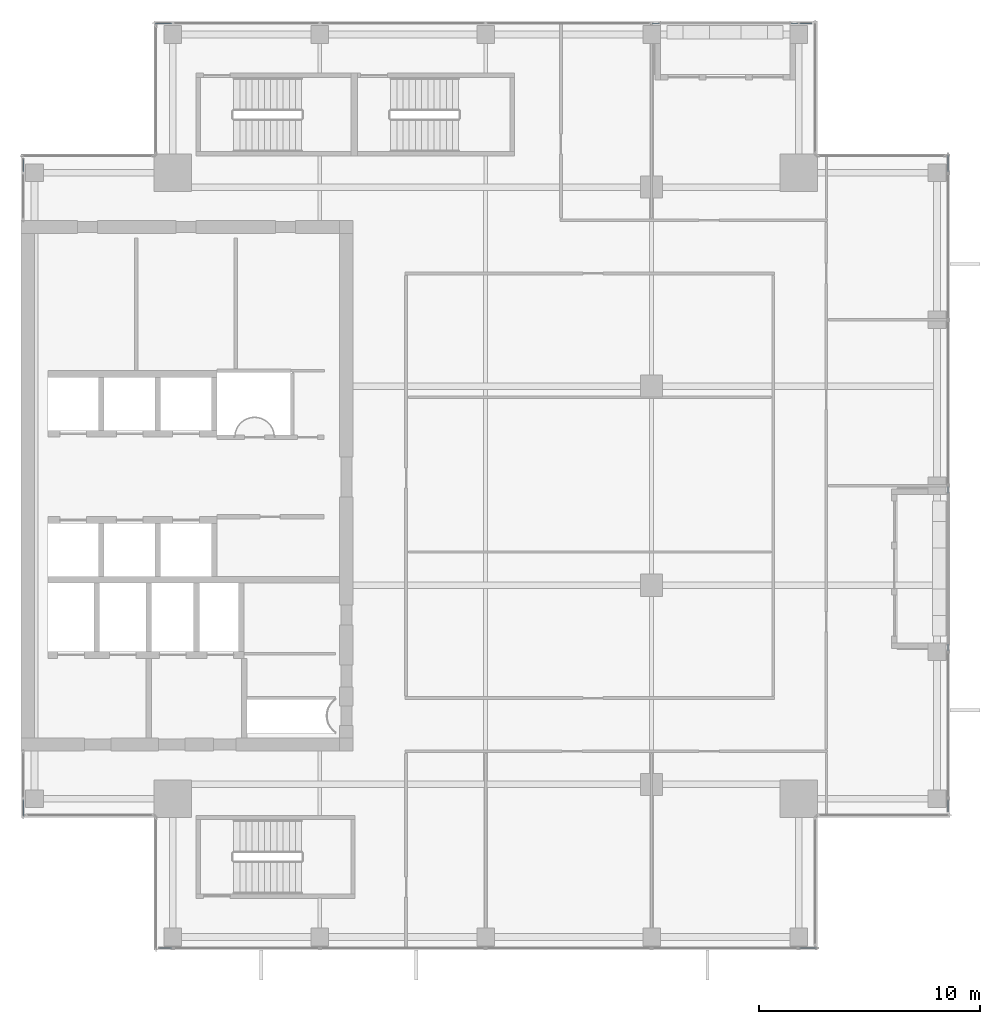
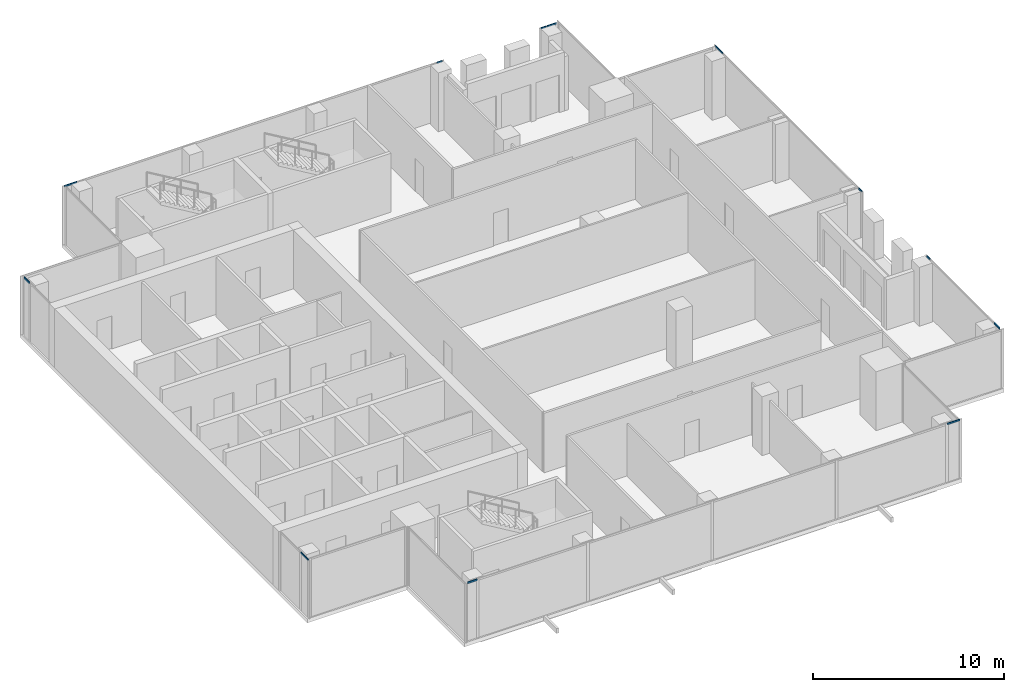
# One storey, part 18 of 29: 12 members, 7 elements without a shape of their own.
"""IFC4 building model written with IfcOpenShell, lengths in metres."""

from ifc_helpers import new_model, si_unit, direction, frame, origin, origin_2d, place, context, subcontext, project, spatial, hollow_rectangle, extrude, source, transform, mapped, material, material_profile, profile_set, type_object, element, aggregate, save


model = new_model("IFC4")

# Units and contexts
model_context = context("Model", 3, precision=1e-05, world=origin(), true_north=direction((0.0, 1.0)))
body_context = subcontext(model_context, "Body", "Model", "MODEL_VIEW")
ifc_project = project(units=[si_unit("LENGTHUNIT", "METRE"), si_unit("AREAUNIT", "SQUARE_METRE"), si_unit("VOLUMEUNIT", "CUBIC_METRE"), si_unit("PLANEANGLEUNIT", "RADIAN"), si_unit("MASSUNIT", "GRAM", prefix="KILO")], contexts=[model_context])

# Site, building, storey
site_placement = place(None, origin())
site = spatial("IfcSite", under=ifc_project, at=site_placement, CompositionType="ELEMENT")
building_placement = place(site_placement, origin())
building = spatial("IfcBuilding", under=site, at=building_placement, Name="Khomas Fold Tower", CompositionType="ELEMENT")
storey_placement = place(building_placement, frame((0.0, 0.0, 290.199951171875)))
storey = spatial("IfcBuildingStorey", under=building, at=storey_placement, Name="L65", CompositionType="ELEMENT", Elevation=290.199951171875)

# Curtain wall, member
ifc_material_1 = material(Name="Aluminium framed double glazing", Category="aluminium")
curtain_wall_type = type_object("IfcCurtainWallType", Name="SK-Unitised clear-glass wall, upper floors CW3", PredefinedType="NOTDEFINED", material=ifc_material_1)
curtain_wall_1_placement = place(storey_placement, origin())
curtain_wall_1 = element("IfcCurtainWall", 1, at=curtain_wall_1_placement, inside=storey, type_object=curtain_wall_type, Name="CW3 run L65 00-0", PredefinedType="NOTDEFINED")
ifc_material_2 = material(Name="Aluminium", Category="aluminium")
ifc_material_profile = material_profile(ifc_material_2, hollow_rectangle(XDim=0.050048828125, YDim=0.10009765625, WallThickness=0.00390625, at=origin_2d()), Name="SK-Unitised clear-glass wall, upper floors transom CW3-T")
ifc_profile_set = profile_set([ifc_material_profile], Name="Aluminium")
member_type = type_object("IfcMemberType", Name="SK-Unitised clear-glass wall, upper floors transom CW3-T", PredefinedType="USERDEFINED", material=ifc_profile_set)
shared_shape_1 = source(origin(), body_context, "Body", "SweptSolid", [
    extrude(hollow_rectangle(XDim=0.050048828125, YDim=0.10009765625, WallThickness=0.00390625, at=origin_2d()), origin(), (0.0, 0.0, 1.0), 0.574951171875),
])
member_1_placement = place(storey_placement, frame((12.25, 6.10009765625, 3.699951171875), z_axis=(1.0, 0.0, 0.0), x_axis=(0.0, 1.0, 0.0)))
member_1 = element("IfcMember", 2, at=member_1_placement, type_object=member_type, Name="CW3 transom 1", ObjectType="TRANSOM", PredefinedType="USERDEFINED", context=body_context, shape_type="MappedRepresentation", body=[
    mapped(shared_shape_1, transform((0.0, 0.0, 0.0))),
])

curtain_wall_2_placement = place(storey_placement, origin())
curtain_wall_2 = element("IfcCurtainWall", 3, at=curtain_wall_2_placement, inside=storey, type_object=curtain_wall_type, Name="CW3 run L65 03-0", PredefinedType="NOTDEFINED")
member_2_placement = place(storey_placement, frame((47.89990234375, 12.25, 3.699951171875), z_axis=(0.0, 1.0, 0.0), x_axis=(-1.0, 0.0, 0.0)))
member_2 = element("IfcMember", 4, at=member_2_placement, type_object=member_type, Name="CW3 transom 1", ObjectType="TRANSOM", PredefinedType="USERDEFINED", context=body_context, shape_type="MappedRepresentation", body=[
    mapped(shared_shape_1, transform((0.0, 0.0, 0.0))),
])

curtain_wall_3_placement = place(storey_placement, origin())
curtain_wall_3 = element("IfcCurtainWall", 5, at=curtain_wall_3_placement, inside=storey, type_object=curtain_wall_type, Name="CW3 run L65 06-0", PredefinedType="NOTDEFINED")
member_3_placement = place(storey_placement, frame((41.75, 47.89990234375, 3.699951171875), z_axis=(-1.0, 0.0, 0.0), x_axis=(0.0, -1.0, 0.0)))
member_3 = element("IfcMember", 6, at=member_3_placement, type_object=member_type, Name="CW3 transom 1", ObjectType="TRANSOM", PredefinedType="USERDEFINED", context=body_context, shape_type="MappedRepresentation", body=[
    mapped(shared_shape_1, transform((0.0, 0.0, 0.0))),
])

curtain_wall_4_placement = place(storey_placement, origin())
curtain_wall_4 = element("IfcCurtainWall", 7, at=curtain_wall_4_placement, inside=storey, type_object=curtain_wall_type, Name="CW3 run L65 09-0", PredefinedType="NOTDEFINED")
member_4_placement = place(storey_placement, frame((6.10009765625, 41.75, 3.699951171875), z_axis=(0.0, -1.0, 0.0), x_axis=(1.0, 0.0, 0.0)))
member_4 = element("IfcMember", 8, at=member_4_placement, type_object=member_type, Name="CW3 transom 1", ObjectType="TRANSOM", PredefinedType="USERDEFINED", context=body_context, shape_type="MappedRepresentation", body=[
    mapped(shared_shape_1, transform((0.0, 0.0, 0.0))),
])
aggregate(curtain_wall_4, [member_4])

# Member
shared_shape_2 = source(origin(), body_context, "Body", "SweptSolid", [
    extrude(hollow_rectangle(XDim=0.050048828125, YDim=0.10009765625, WallThickness=0.00390625, at=origin_2d()), origin(), (0.0, 0.0, 1.0), 0.77490234375),
])
member_5_placement = place(storey_placement, frame((41.175048828125, 6.10009765625, 3.699951171875), z_axis=(1.0, 0.0, 0.0), x_axis=(0.0, 1.0, 0.0)))
member_5 = element("IfcMember", 9, at=member_5_placement, type_object=member_type, Name="CW3 transom 6", ObjectType="TRANSOM", PredefinedType="USERDEFINED", context=body_context, shape_type="MappedRepresentation", body=[
    mapped(shared_shape_2, transform((0.0, 0.0, 0.0))),
])

aggregate(curtain_wall_1, [member_1, member_5])

# Curtain wall, member
curtain_wall_5_placement = place(storey_placement, origin())
curtain_wall_5 = element("IfcCurtainWall", 10, at=curtain_wall_5_placement, inside=storey, type_object=curtain_wall_type, Name="CW3 run L65 03-1", PredefinedType="NOTDEFINED")
member_6_placement = place(storey_placement, frame((47.89990234375, 41.175048828125, 3.699951171875), z_axis=(0.0, 1.0, 0.0), x_axis=(-1.0, 0.0, 0.0)))
member_6 = element("IfcMember", 11, at=member_6_placement, type_object=member_type, Name="CW3 transom 4", ObjectType="TRANSOM", PredefinedType="USERDEFINED", context=body_context, shape_type="MappedRepresentation", body=[
    mapped(shared_shape_2, transform((0.0, 0.0, 0.0))),
])

curtain_wall_6_placement = place(storey_placement, origin())
curtain_wall_6 = element("IfcCurtainWall", 12, at=curtain_wall_6_placement, inside=storey, type_object=curtain_wall_type, Name="CW3 run L65 06-1", PredefinedType="NOTDEFINED")
member_7_placement = place(storey_placement, frame((12.824951171875, 47.89990234375, 3.699951171875), z_axis=(-1.0, 0.0, 0.0), x_axis=(0.0, -1.0, 0.0)))
member_7 = element("IfcMember", 13, at=member_7_placement, type_object=member_type, Name="CW3 transom 5", ObjectType="TRANSOM", PredefinedType="USERDEFINED", context=body_context, shape_type="MappedRepresentation", body=[
    mapped(shared_shape_2, transform((0.0, 0.0, 0.0))),
])

curtain_wall_7_placement = place(storey_placement, origin())
curtain_wall_7 = element("IfcCurtainWall", 14, at=curtain_wall_7_placement, inside=storey, type_object=curtain_wall_type, Name="CW3 run L65 09-1", PredefinedType="NOTDEFINED")
member_8_placement = place(storey_placement, frame((6.10009765625, 12.824951171875, 3.699951171875), z_axis=(0.0, -1.0, 0.0), x_axis=(1.0, 0.0, 0.0)))
member_8 = element("IfcMember", 15, at=member_8_placement, type_object=member_type, Name="CW3 transom 2", ObjectType="TRANSOM", PredefinedType="USERDEFINED", context=body_context, shape_type="MappedRepresentation", body=[
    mapped(shared_shape_2, transform((0.0, 0.0, 0.0))),
])
aggregate(curtain_wall_7, [member_8])

# Member
shared_shape_3 = source(origin(), body_context, "Body", "SweptSolid", [
    extrude(hollow_rectangle(XDim=0.050048828125, YDim=0.10009765625, WallThickness=0.00390625, at=origin_2d()), origin(), (0.0, 0.0, 1.0), 0.3251953125),
])
member_9_placement = place(storey_placement, frame((47.89990234375, 19.52490234375, 3.699951171875), z_axis=(0.0, 1.0, 0.0), x_axis=(-1.0, 0.0, 0.0)))
member_9 = element("IfcMember", 16, at=member_9_placement, type_object=member_type, Name="CW3 transom 3", ObjectType="TRANSOM", PredefinedType="USERDEFINED", context=body_context, shape_type="MappedRepresentation", body=[
    mapped(shared_shape_3, transform((0.0, 0.0, 0.0))),
])

aggregate(curtain_wall_2, [member_2, member_9])

member_10_placement = place(storey_placement, frame((47.89990234375, 26.64990234375, 3.699951171875), z_axis=(0.0, 1.0, 0.0), x_axis=(-1.0, 0.0, 0.0)))
member_10 = element("IfcMember", 17, at=member_10_placement, type_object=member_type, Name="CW3 transom 1", ObjectType="TRANSOM", PredefinedType="USERDEFINED", context=body_context, shape_type="MappedRepresentation", body=[
    mapped(shared_shape_3, transform((0.0, 0.0, 0.0))),
])

aggregate(curtain_wall_5, [member_10, member_6])

member_11_placement = place(storey_placement, frame((34.85009765625, 47.89990234375, 3.699951171875), z_axis=(-1.0, 0.0, 0.0), x_axis=(0.0, -1.0, 0.0)))
member_11 = element("IfcMember", 18, at=member_11_placement, type_object=member_type, Name="CW3 transom 1", ObjectType="TRANSOM", PredefinedType="USERDEFINED", context=body_context, shape_type="MappedRepresentation", body=[
    mapped(shared_shape_3, transform((0.0, 0.0, 0.0))),
])

aggregate(curtain_wall_6, [member_11, member_7])

shared_shape_4 = source(origin(), body_context, "Body", "SweptSolid", [
    extrude(hollow_rectangle(XDim=0.050048828125, YDim=0.10009765625, WallThickness=0.00390625, at=origin_2d()), origin(), (0.0, 0.0, 1.0), 0.324951171875),
])
member_12_placement = place(storey_placement, frame((41.125, 47.89990234375, 3.699951171875), z_axis=(-1.0, 0.0, 0.0), x_axis=(0.0, -1.0, 0.0)))
member_12 = element("IfcMember", 19, at=member_12_placement, type_object=member_type, Name="CW3 transom 2", ObjectType="TRANSOM", PredefinedType="USERDEFINED", context=body_context, shape_type="MappedRepresentation", body=[
    mapped(shared_shape_4, transform((0.0, 0.0, 0.0))),
])

aggregate(curtain_wall_3, [member_3, member_12])

save(model, "model.ifc")
